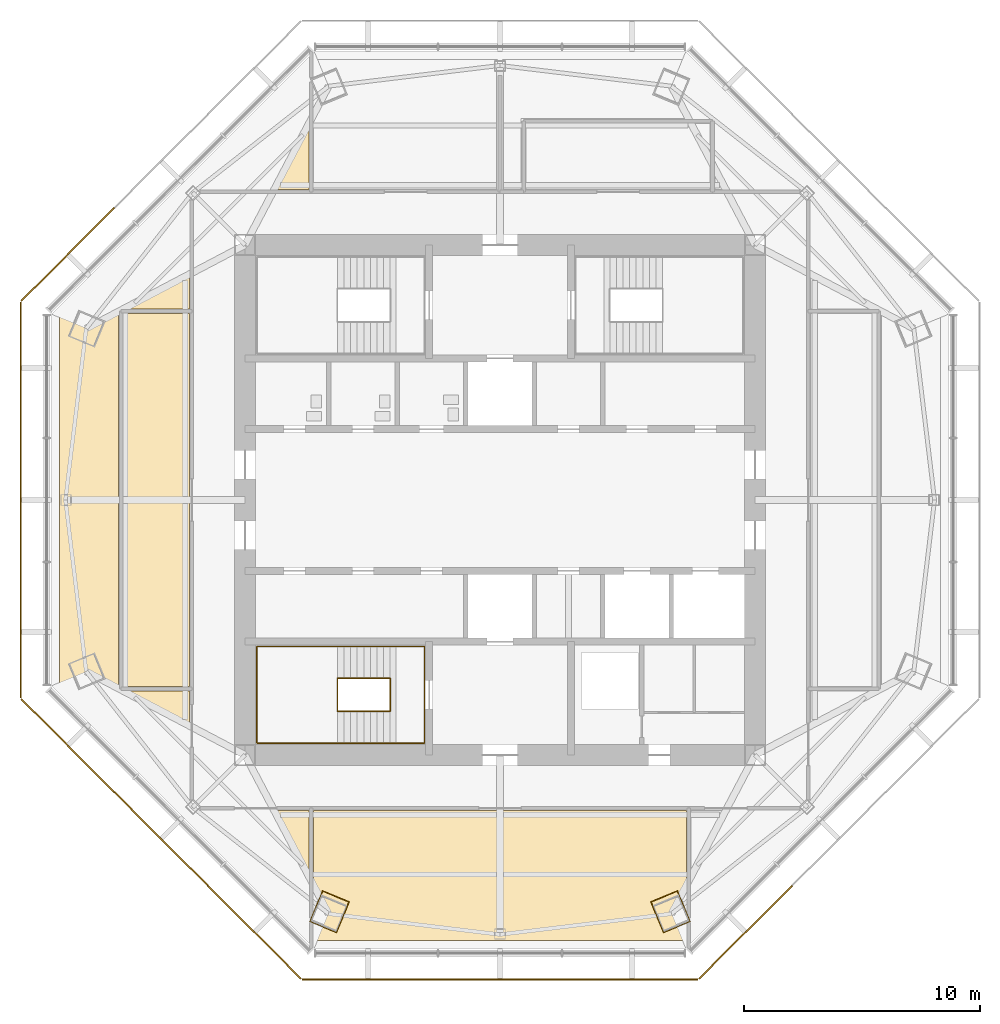
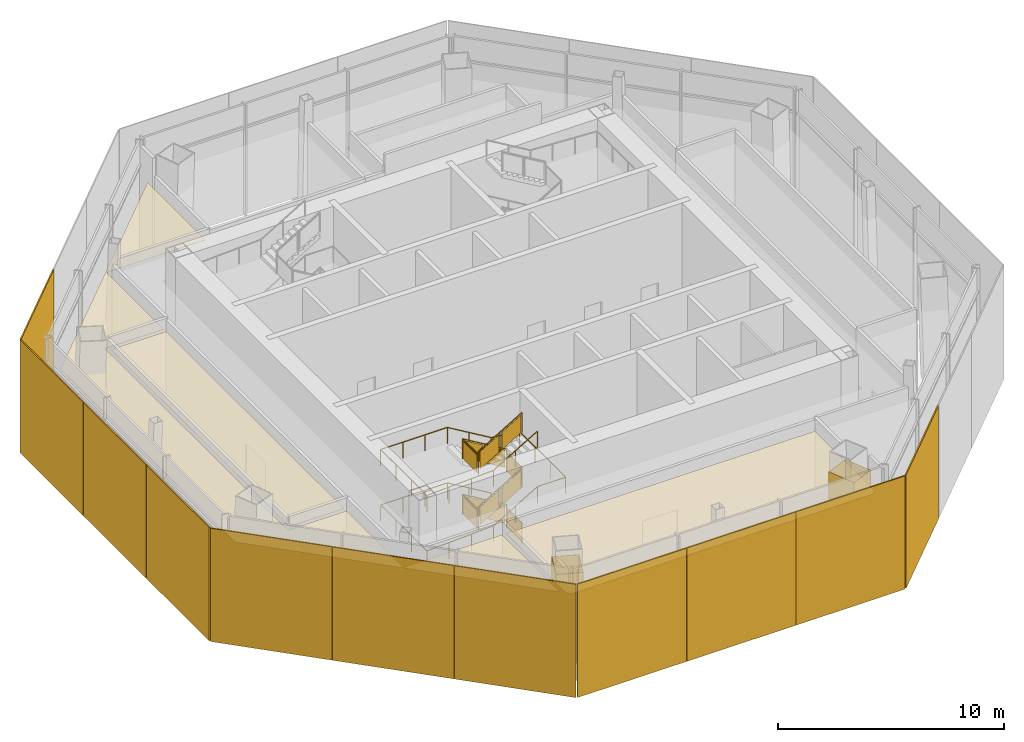
# One storey, part 8 of 11: 11 shading devices, 5 coverings, 2 railings.
"""IFC4 building model written with IfcOpenShell, lengths in metres."""

from ifc_helpers import new_model, si_unit, direction, frame, origin, origin_2d, place, context, subcontext, project, spatial, polyline, rectangle, circle, outline, extrude, source, transform, mapped, material, layer, layer_set, type_object, type_shapes, element, save


model = new_model("IFC4")

# Units and contexts
model_context = context("Model", 3, precision=1e-05, world=origin(), true_north=direction((0.0, 1.0)))
body_context = subcontext(model_context, "Body", "Model", "MODEL_VIEW")
ifc_project = project(units=[si_unit("LENGTHUNIT", "METRE"), si_unit("AREAUNIT", "SQUARE_METRE"), si_unit("VOLUMEUNIT", "CUBIC_METRE"), si_unit("PLANEANGLEUNIT", "RADIAN"), si_unit("MASSUNIT", "GRAM", prefix="KILO")], contexts=[model_context])

# Site, building, storey
site_placement = place(None, origin())
site = spatial("IfcSite", under=ifc_project, at=site_placement, CompositionType="ELEMENT")
building_placement = place(site_placement, origin())
building = spatial("IfcBuilding", under=site, at=building_placement, Name="Mashrafa Tower", CompositionType="ELEMENT")
storey_placement = place(building_placement, frame((0.0, 0.0, 311.60009765625)))
storey = spatial("IfcBuildingStorey", under=building, at=storey_placement, Name="L77", CompositionType="ELEMENT", Elevation=311.60009765625)

# Coverings
ifc_material_1 = material(Name="Gypsum board")
ifc_layer_1 = layer(ifc_material_1, 0.014892578125)
ifc_layer_set_1 = layer_set([ifc_layer_1], Name="Column casing plasterboard 15")
covering_type_1 = type_object("IfcCoveringType", Name="Column casing plasterboard 15", PredefinedType="CLADDING", material=ifc_layer_set_1)
covering_1_placement = place(storey_placement, origin())
element("IfcCovering", 1, at=covering_1_placement, inside=storey, type_object=covering_type_1, Name="Column casing L77-001", PredefinedType="CLADDING", context=body_context, shape_type="SweptSolid", body=[
    extrude(outline(polyline([(-8.061279296875, -17.85498046875), (-7.9853515625, -17.67138671875), (-7.59619140625, -16.73193359375), (-7.520263671875, -16.54833984375), (-6.3837890625, -17.01904296875), (-6.84912109375, -18.14208984375), (-6.925048828125, -18.32568359375), (-8.061279296875, -17.85498046875)]), holes=[polyline([(-6.86279296875, -18.13623046875), (-6.4033203125, -17.027099609375), (-7.51220703125, -16.56787109375), (-7.58251953125, -16.737548828125), (-7.971435546875, -17.677001953125), (-8.041748046875, -17.8466796875), (-6.93310546875, -18.305908203125), (-6.86279296875, -18.13623046875)])]), origin(), (0.0, 0.0, 1.0), 4.89404296875),
])
covering_2_placement = place(storey_placement, origin())
element("IfcCovering", 2, at=covering_2_placement, inside=storey, type_object=covering_type_1, Name="Column casing L77-002", PredefinedType="CLADDING", context=body_context, shape_type="SweptSolid", body=[
    extrude(outline(polyline([(6.84912109375, -18.14208984375), (6.3837890625, -17.01904296875), (7.520263671875, -16.54833984375), (7.59619140625, -16.73193359375), (7.9853515625, -17.67138671875), (8.061279296875, -17.85498046875), (6.925048828125, -18.32568359375), (6.84912109375, -18.14208984375)]), holes=[polyline([(8.041748046875, -17.8466796875), (7.971435546875, -17.677001953125), (7.58251953125, -16.737548828125), (7.51220703125, -16.56787109375), (6.4033203125, -17.027099609375), (6.86279296875, -18.13623046875), (6.93310546875, -18.305908203125), (8.041748046875, -17.8466796875)])]), origin(), (0.0, 0.0, 1.0), 4.89404296875),
])

# Railings
ifc_material_2 = material(Name="Steel guard with glass infill", Category="steel")
railing_type_1 = type_object("IfcRailingType", Name="Stair guard 1100", PredefinedType="GUARDRAIL", material=ifc_material_2)
railing_1_placement = place(storey_placement, frame((-4.64990234375, -8.949951171875, 0.0)))
element("IfcRailing", 3, at=railing_1_placement, inside=storey, type_object=railing_type_1, Name="Stair S3 guard L77", PredefinedType="GUARDRAIL", context=body_context, shape_type="SweptSolid", body=[
    extrude(circle(Radius=0.02392578125, at=origin_2d()), frame((0.0, 0.0, 1.076171875), z_axis=(0.0, 1.0, 0.0), x_axis=(-1.0, 0.0, 0.0)), (0.0, 0.0, 1.0), 1.39990234375),
    extrude(circle(Radius=0.02392578125, at=origin_2d()), frame((0.0, 1.39990234375, 1.076171875), z_axis=(0.0, 0.0, 1.0), x_axis=(1.0, 0.0, 0.0)), (0.0, 0.0, 1.0), 0.16650390625),
    extrude(circle(Radius=0.02392578125, at=origin_2d()), frame((0.0, 1.39990234375, 1.24267578125), z_axis=(-0.859264461869, 0.0, 0.511531606619), x_axis=(0.0, -1.0, 0.0)), (0.0, 0.0, 1.0), 2.60693359375),
    extrude(circle(Radius=0.02392578125, at=origin_2d()), frame((-2.239990234375, 1.39990234375, 2.576171875), z_axis=(0.0, -1.0, 0.0), x_axis=(1.0, 0.0, 0.0)), (0.0, 0.0, 1.0), 1.39990234375),
    extrude(circle(Radius=0.02392578125, at=origin_2d()), frame((-2.239990234375, 0.0, 2.576171875), z_axis=(0.0, 0.0, 1.0), x_axis=(1.0, 0.0, 0.0)), (0.0, 0.0, 1.0), 0.16650390625),
    extrude(circle(Radius=0.02392578125, at=origin_2d()), frame((-2.239990234375, 0.0, 2.74267578125), z_axis=(0.859264461869, 0.0, 0.511531606619), x_axis=(0.0, 1.0, 0.0)), (0.0, 0.0, 1.0), 2.60693359375),
    extrude(circle(Radius=0.02392578125, at=origin_2d()), frame((0.0, 0.0, 4.076171875), z_axis=(0.0, 1.0, 0.0), x_axis=(-1.0, 0.0, 0.0)), (0.0, 0.0, 1.0), 1.39990234375),
    extrude(circle(Radius=0.02392578125, at=origin_2d()), frame((0.0, 1.39990234375, 4.076171875), z_axis=(0.0, 0.0, 1.0), x_axis=(1.0, 0.0, 0.0)), (0.0, 0.0, 1.0), 0.16650390625),
    extrude(circle(Radius=0.02392578125, at=origin_2d()), frame((0.0, 1.39990234375, 4.24267578125), z_axis=(-0.859264461869, 0.0, 0.511531606619), x_axis=(0.0, -1.0, 0.0)), (0.0, 0.0, 1.0), 2.60693359375),
    extrude(circle(Radius=0.02392578125, at=origin_2d()), frame((-2.239990234375, 1.39990234375, 5.576171875), z_axis=(0.0, -1.0, 0.0), x_axis=(1.0, 0.0, 0.0)), (0.0, 0.0, 1.0), 1.39990234375),
    extrude(circle(Radius=0.02392578125, at=origin_2d()), frame((-2.239990234375, 0.0, 5.576171875), z_axis=(0.0, 0.0, 1.0), x_axis=(1.0, 0.0, 0.0)), (0.0, 0.0, 1.0), 0.16650390625),
    extrude(circle(Radius=0.02392578125, at=origin_2d()), frame((-2.239990234375, 0.0, 5.74267578125), z_axis=(0.859264461869, 0.0, 0.511531606619), x_axis=(0.0, 1.0, 0.0)), (0.0, 0.0, 1.0), 2.60693359375),
    extrude(circle(Radius=0.02099609375, at=origin_2d()), origin(), (0.0, 0.0, 1.0), 1.052001953125),
    extrude(circle(Radius=0.02099609375, at=origin_2d()), frame((0.0, 1.39990234375, 0.0)), (0.0, 0.0, 1.0), 1.052001953125),
    extrude(circle(Radius=0.02099609375, at=origin_2d()), frame((0.0, 1.39990234375, 0.16650390625)), (0.0, 0.0, 1.0), 1.052001953125),
    extrude(circle(Radius=0.02099609375, at=origin_2d()), frame((-1.1201171875, 1.39990234375, 0.833251953125)), (0.0, 0.0, 1.0), 1.052001953125),
    extrude(circle(Radius=0.02099609375, at=origin_2d()), frame((-2.239990234375, 1.39990234375, 1.5)), (0.0, 0.0, 1.0), 1.052001953125),
    extrude(circle(Radius=0.02099609375, at=origin_2d()), frame((-2.239990234375, 0.0, 1.5)), (0.0, 0.0, 1.0), 1.052001953125),
    extrude(circle(Radius=0.02099609375, at=origin_2d()), frame((-2.239990234375, 0.0, 1.66650390625)), (0.0, 0.0, 1.0), 1.052001953125),
    extrude(circle(Radius=0.02099609375, at=origin_2d()), frame((-1.1201171875, 0.0, 2.333251953125)), (0.0, 0.0, 1.0), 1.052001953125),
    extrude(circle(Radius=0.02099609375, at=origin_2d()), frame((0.0, 0.0, 3.0)), (0.0, 0.0, 1.0), 1.052001953125),
    extrude(circle(Radius=0.02099609375, at=origin_2d()), frame((0.0, 1.39990234375, 3.0)), (0.0, 0.0, 1.0), 1.052001953125),
    extrude(circle(Radius=0.02099609375, at=origin_2d()), frame((0.0, 1.39990234375, 3.16650390625)), (0.0, 0.0, 1.0), 1.052001953125),
    extrude(circle(Radius=0.02099609375, at=origin_2d()), frame((-1.1201171875, 1.39990234375, 3.833251953125)), (0.0, 0.0, 1.0), 1.052001953125),
    extrude(circle(Radius=0.02099609375, at=origin_2d()), frame((-2.239990234375, 1.39990234375, 4.5)), (0.0, 0.0, 1.0), 1.052001953125),
    extrude(circle(Radius=0.02099609375, at=origin_2d()), frame((-2.239990234375, 0.0, 4.5)), (0.0, 0.0, 1.0), 1.052001953125),
    extrude(circle(Radius=0.02099609375, at=origin_2d()), frame((-2.239990234375, 0.0, 4.66650390625)), (0.0, 0.0, 1.0), 1.052001953125),
    extrude(circle(Radius=0.02099609375, at=origin_2d()), frame((-1.1201171875, 0.0, 5.333251953125)), (0.0, 0.0, 1.0), 1.052001953125),
    extrude(circle(Radius=0.02099609375, at=origin_2d()), frame((0.0, 0.0, 6.0)), (0.0, 0.0, 1.0), 1.052001953125),
    extrude(outline(polyline([(0.071044921875, 0.050048828125), (1.328857421875, 0.050048828125), (1.328857421875, 1.001953125), (0.071044921875, 1.001953125), (0.071044921875, 0.050048828125)])), frame((0.006103515625, 0.0, 0.0), z_axis=(1.0, 0.0, 0.0), x_axis=(0.0, 1.0, 0.0)), (0.0, 0.0, 1.0), 0.011962890625),
    extrude(outline(polyline([(0.071044921875, 0.09228515625), (1.049072265625, 0.674560546875), (1.049072265625, 1.62646484375), (0.071044921875, 1.044189453125), (0.071044921875, 0.09228515625)])), frame((0.0, 1.406005859375, 0.16650390625), z_axis=(0.0, 1.0, 0.0), x_axis=(-1.0, 0.0, 0.0)), (0.0, 0.0, 1.0), 0.011962890625),
    extrude(outline(polyline([(1.19091796875, 0.759033203125), (2.1689453125, 1.34130859375), (2.1689453125, 2.293212890625), (1.19091796875, 1.7109375), (1.19091796875, 0.759033203125)])), frame((0.0, 1.406005859375, 0.16650390625), z_axis=(0.0, 1.0, 0.0), x_axis=(-1.0, 0.0, 0.0)), (0.0, 0.0, 1.0), 0.011962890625),
    extrude(outline(polyline([(0.071044921875, 0.050048828125), (1.328857421875, 0.050048828125), (1.328857421875, 1.001953125), (0.071044921875, 1.001953125), (0.071044921875, 0.050048828125)])), frame((-2.24609375, 1.39990234375, 1.5), z_axis=(-1.0, 0.0, 0.0), x_axis=(0.0, -1.0, 0.0)), (0.0, 0.0, 1.0), 0.011962890625),
    extrude(outline(polyline([(0.071044921875, 0.09228515625), (1.049072265625, 0.674560546875), (1.049072265625, 1.62646484375), (0.071044921875, 1.044189453125), (0.071044921875, 0.09228515625)])), frame((-2.239990234375, -0.006103515625, 1.66650390625), z_axis=(0.0, -1.0, 0.0), x_axis=(1.0, 0.0, 0.0)), (0.0, 0.0, 1.0), 0.011962890625),
    extrude(outline(polyline([(1.19091796875, 0.759033203125), (2.1689453125, 1.34130859375), (2.1689453125, 2.293212890625), (1.19091796875, 1.7109375), (1.19091796875, 0.759033203125)])), frame((-2.239990234375, -0.006103515625, 1.66650390625), z_axis=(0.0, -1.0, 0.0), x_axis=(1.0, 0.0, 0.0)), (0.0, 0.0, 1.0), 0.011962890625),
    extrude(outline(polyline([(0.071044921875, 0.050048828125), (1.328857421875, 0.050048828125), (1.328857421875, 1.001953125), (0.071044921875, 1.001953125), (0.071044921875, 0.050048828125)])), frame((0.006103515625, 0.0, 3.0), z_axis=(1.0, 0.0, 0.0), x_axis=(0.0, 1.0, 0.0)), (0.0, 0.0, 1.0), 0.011962890625),
    extrude(outline(polyline([(0.071044921875, 0.09228515625), (1.049072265625, 0.674560546875), (1.049072265625, 1.62646484375), (0.071044921875, 1.044189453125), (0.071044921875, 0.09228515625)])), frame((0.0, 1.406005859375, 3.16650390625), z_axis=(0.0, 1.0, 0.0), x_axis=(-1.0, 0.0, 0.0)), (0.0, 0.0, 1.0), 0.011962890625),
    extrude(outline(polyline([(1.19091796875, 0.759033203125), (2.1689453125, 1.34130859375), (2.1689453125, 2.293212890625), (1.19091796875, 1.7109375), (1.19091796875, 0.759033203125)])), frame((0.0, 1.406005859375, 3.16650390625), z_axis=(0.0, 1.0, 0.0), x_axis=(-1.0, 0.0, 0.0)), (0.0, 0.0, 1.0), 0.011962890625),
    extrude(outline(polyline([(0.071044921875, 0.050048828125), (1.328857421875, 0.050048828125), (1.328857421875, 1.001953125), (0.071044921875, 1.001953125), (0.071044921875, 0.050048828125)])), frame((-2.24609375, 1.39990234375, 4.5), z_axis=(-1.0, 0.0, 0.0), x_axis=(0.0, -1.0, 0.0)), (0.0, 0.0, 1.0), 0.011962890625),
    extrude(outline(polyline([(0.071044921875, 0.09228515625), (1.049072265625, 0.674560546875), (1.049072265625, 1.62646484375), (0.071044921875, 1.044189453125), (0.071044921875, 0.09228515625)])), frame((-2.239990234375, -0.006103515625, 4.66650390625), z_axis=(0.0, -1.0, 0.0), x_axis=(1.0, 0.0, 0.0)), (0.0, 0.0, 1.0), 0.011962890625),
    extrude(outline(polyline([(1.19091796875, 0.759033203125), (2.1689453125, 1.34130859375), (2.1689453125, 2.293212890625), (1.19091796875, 1.7109375), (1.19091796875, 0.759033203125)])), frame((-2.239990234375, -0.006103515625, 4.66650390625), z_axis=(0.0, -1.0, 0.0), x_axis=(1.0, 0.0, 0.0)), (0.0, 0.0, 1.0), 0.011962890625),
])
ifc_material_3 = material(Name="Steel", Category="steel")
railing_type_2 = type_object("IfcRailingType", Name="Stair handrail 900", PredefinedType="HANDRAIL", material=ifc_material_3)
railing_2_placement = place(storey_placement, frame((-4.64990234375, -6.199951171875, 0.16650390625)))
element("IfcRailing", 4, at=railing_2_placement, inside=storey, type_object=railing_type_2, Name="Stair S3 handrail L77", PredefinedType="HANDRAIL", context=body_context, shape_type="SweptSolid", body=[
    extrude(circle(Radius=0.02392578125, at=origin_2d()), frame((0.0, 0.0, 0.8759765625), z_axis=(-0.859264461869, 0.0, 0.511531606619), x_axis=(0.0, -1.0, 0.0)), (0.0, 0.0, 1.0), 2.60693359375),
    extrude(circle(Radius=0.02392578125, at=origin_2d()), frame((-2.239990234375, 0.0, 2.20947265625), z_axis=(-1.0, 0.0, 0.0), x_axis=(0.0, -1.0, 0.0)), (0.0, 0.0, 1.0), 3.41015625),
    extrude(circle(Radius=0.02392578125, at=origin_2d()), frame((-5.650146484375, 0.0, 2.20947265625), z_axis=(0.0, -1.0, 0.0), x_axis=(1.0, 0.0, 0.0)), (0.0, 0.0, 1.0), 4.10009765625),
    extrude(circle(Radius=0.02392578125, at=origin_2d()), frame((-5.650146484375, -4.10009765625, 2.20947265625), z_axis=(0.998810143355, 0.0, 0.048767791936), x_axis=(0.0, 1.0, 0.0)), (0.0, 0.0, 1.0), 3.414306640625),
    extrude(circle(Radius=0.02392578125, at=origin_2d()), frame((-2.239990234375, -4.10009765625, 2.3759765625), z_axis=(0.859264461869, 0.0, 0.511531606619), x_axis=(0.0, 1.0, 0.0)), (0.0, 0.0, 1.0), 2.60693359375),
    extrude(circle(Radius=0.02392578125, at=origin_2d()), frame((0.0, -4.10009765625, 3.70947265625), z_axis=(1.0, 0.0, 0.0), x_axis=(0.0, 1.0, 0.0)), (0.0, 0.0, 1.0), 1.449951171875),
    extrude(circle(Radius=0.02392578125, at=origin_2d()), frame((1.449951171875, -4.10009765625, 3.70947265625), z_axis=(0.0, 1.0, 0.0), x_axis=(-1.0, 0.0, 0.0)), (0.0, 0.0, 1.0), 4.10009765625),
    extrude(circle(Radius=0.02392578125, at=origin_2d()), frame((1.449951171875, 0.0, 3.70947265625), z_axis=(-0.993471061085, 0.0, 0.114084402031), x_axis=(0.0, -1.0, 0.0)), (0.0, 0.0, 1.0), 1.45947265625),
    extrude(circle(Radius=0.02392578125, at=origin_2d()), frame((0.0, 0.0, 3.8759765625), z_axis=(-0.859264461869, 0.0, 0.511531606619), x_axis=(0.0, -1.0, 0.0)), (0.0, 0.0, 1.0), 2.60693359375),
    extrude(circle(Radius=0.02392578125, at=origin_2d()), frame((-2.239990234375, 0.0, 5.20947265625), z_axis=(-1.0, 0.0, 0.0), x_axis=(0.0, -1.0, 0.0)), (0.0, 0.0, 1.0), 3.41015625),
    extrude(circle(Radius=0.02392578125, at=origin_2d()), frame((-5.650146484375, 0.0, 5.20947265625), z_axis=(0.0, -1.0, 0.0), x_axis=(1.0, 0.0, 0.0)), (0.0, 0.0, 1.0), 4.10009765625),
    extrude(circle(Radius=0.02392578125, at=origin_2d()), frame((-5.650146484375, -4.10009765625, 5.20947265625), z_axis=(0.998810143355, 0.0, 0.048767791936), x_axis=(0.0, 1.0, 0.0)), (0.0, 0.0, 1.0), 3.414306640625),
    extrude(circle(Radius=0.02392578125, at=origin_2d()), frame((-2.239990234375, -4.10009765625, 5.3759765625), z_axis=(0.859264461869, 0.0, 0.511531606619), x_axis=(0.0, 1.0, 0.0)), (0.0, 0.0, 1.0), 2.60693359375),
    extrude(circle(Radius=0.02099609375, at=origin_2d()), origin(), (0.0, 0.0, 1.0), 0.851806640625),
    extrude(circle(Radius=0.02099609375, at=origin_2d()), frame((-1.1201171875, 0.0, 0.666748046875)), (0.0, 0.0, 1.0), 0.851806640625),
    extrude(circle(Radius=0.02099609375, at=origin_2d()), frame((-2.239990234375, 0.0, 1.33349609375)), (0.0, 0.0, 1.0), 0.851806640625),
    extrude(circle(Radius=0.02099609375, at=origin_2d()), frame((-3.376708984375, 0.0, 1.33349609375)), (0.0, 0.0, 1.0), 0.851806640625),
    extrude(circle(Radius=0.02099609375, at=origin_2d()), frame((-4.513427734375, 0.0, 1.33349609375)), (0.0, 0.0, 1.0), 0.851806640625),
    extrude(circle(Radius=0.02099609375, at=origin_2d()), frame((-5.650146484375, 0.0, 1.33349609375)), (0.0, 0.0, 1.0), 0.851806640625),
    extrude(circle(Radius=0.02099609375, at=origin_2d()), frame((-5.650146484375, -1.36669921875, 1.33349609375)), (0.0, 0.0, 1.0), 0.851806640625),
    extrude(circle(Radius=0.02099609375, at=origin_2d()), frame((-5.650146484375, -2.7333984375, 1.33349609375)), (0.0, 0.0, 1.0), 0.851806640625),
    extrude(circle(Radius=0.02099609375, at=origin_2d()), frame((-5.650146484375, -4.10009765625, 1.33349609375)), (0.0, 0.0, 1.0), 0.851806640625),
    extrude(circle(Radius=0.02099609375, at=origin_2d()), frame((-4.513427734375, -4.10009765625, 1.388916015625)), (0.0, 0.0, 1.0), 0.851806640625),
    extrude(circle(Radius=0.02099609375, at=origin_2d()), frame((-3.376708984375, -4.10009765625, 1.444580078125)), (0.0, 0.0, 1.0), 0.851806640625),
    extrude(circle(Radius=0.02099609375, at=origin_2d()), frame((-2.239990234375, -4.10009765625, 1.5)), (0.0, 0.0, 1.0), 0.851806640625),
    extrude(circle(Radius=0.02099609375, at=origin_2d()), frame((-1.1201171875, -4.10009765625, 2.166748046875)), (0.0, 0.0, 1.0), 0.851806640625),
    extrude(circle(Radius=0.02099609375, at=origin_2d()), frame((0.0, -4.10009765625, 2.83349609375)), (0.0, 0.0, 1.0), 0.851806640625),
    extrude(circle(Radius=0.02099609375, at=origin_2d()), frame((1.449951171875, -4.10009765625, 2.83349609375)), (0.0, 0.0, 1.0), 0.851806640625),
    extrude(circle(Radius=0.02099609375, at=origin_2d()), frame((1.449951171875, -2.7333984375, 2.83349609375)), (0.0, 0.0, 1.0), 0.851806640625),
    extrude(circle(Radius=0.02099609375, at=origin_2d()), frame((1.449951171875, -1.36669921875, 2.83349609375)), (0.0, 0.0, 1.0), 0.851806640625),
    extrude(circle(Radius=0.02099609375, at=origin_2d()), frame((1.449951171875, 0.0, 2.83349609375)), (0.0, 0.0, 1.0), 0.851806640625),
    extrude(circle(Radius=0.02099609375, at=origin_2d()), frame((0.0, 0.0, 3.0)), (0.0, 0.0, 1.0), 0.851806640625),
    extrude(circle(Radius=0.02099609375, at=origin_2d()), frame((-1.1201171875, 0.0, 3.666748046875)), (0.0, 0.0, 1.0), 0.851806640625),
    extrude(circle(Radius=0.02099609375, at=origin_2d()), frame((-2.239990234375, 0.0, 4.33349609375)), (0.0, 0.0, 1.0), 0.851806640625),
    extrude(circle(Radius=0.02099609375, at=origin_2d()), frame((-3.376708984375, 0.0, 4.33349609375)), (0.0, 0.0, 1.0), 0.851806640625),
    extrude(circle(Radius=0.02099609375, at=origin_2d()), frame((-4.513427734375, 0.0, 4.33349609375)), (0.0, 0.0, 1.0), 0.851806640625),
    extrude(circle(Radius=0.02099609375, at=origin_2d()), frame((-5.650146484375, 0.0, 4.33349609375)), (0.0, 0.0, 1.0), 0.851806640625),
    extrude(circle(Radius=0.02099609375, at=origin_2d()), frame((-5.650146484375, -1.36669921875, 4.33349609375)), (0.0, 0.0, 1.0), 0.851806640625),
    extrude(circle(Radius=0.02099609375, at=origin_2d()), frame((-5.650146484375, -2.7333984375, 4.33349609375)), (0.0, 0.0, 1.0), 0.851806640625),
    extrude(circle(Radius=0.02099609375, at=origin_2d()), frame((-5.650146484375, -4.10009765625, 4.33349609375)), (0.0, 0.0, 1.0), 0.851806640625),
    extrude(circle(Radius=0.02099609375, at=origin_2d()), frame((-4.513427734375, -4.10009765625, 4.388916015625)), (0.0, 0.0, 1.0), 0.851806640625),
    extrude(circle(Radius=0.02099609375, at=origin_2d()), frame((-3.376708984375, -4.10009765625, 4.444580078125)), (0.0, 0.0, 1.0), 0.851806640625),
    extrude(circle(Radius=0.02099609375, at=origin_2d()), frame((-2.239990234375, -4.10009765625, 4.5)), (0.0, 0.0, 1.0), 0.851806640625),
    extrude(circle(Radius=0.02099609375, at=origin_2d()), frame((-1.1201171875, -4.10009765625, 5.166748046875)), (0.0, 0.0, 1.0), 0.851806640625),
    extrude(circle(Radius=0.02099609375, at=origin_2d()), frame((0.0, -4.10009765625, 5.83349609375)), (0.0, 0.0, 1.0), 0.851806640625),
])

# Coverings
ifc_material_4 = material(Name="Gypsum board on suspension grid")
ifc_layer_2 = layer(ifc_material_4, 0.012451171875)
ifc_layer_set_2 = layer_set([ifc_layer_2], Name="Suspended ceiling gypsum 12.5")
covering_type_2 = type_object("IfcCoveringType", Name="Suspended ceiling gypsum 12.5", PredefinedType="CEILING", material=ifc_layer_set_2)
covering_3_placement = place(storey_placement, frame((0.0, 0.0, 4.199951171875)))
element("IfcCovering", 5, at=covering_3_placement, inside=storey, type_object=covering_type_2, Name="Ceiling Observation Cafe L77", PredefinedType="CEILING", context=body_context, shape_type="SweptSolid", body=[
    extrude(outline(polyline([(-7.89990234375, -13.14990234375), (7.89990234375, -13.14990234375), (7.89990234375, -18.47509765625), (7.72509765625, -18.64990234375), (-7.72509765625, -18.64990234375), (-7.89990234375, -18.47509765625), (-7.89990234375, -13.14990234375)])), origin(), (0.0, 0.0, 1.0), 0.012451171875),
])
covering_4_placement = place(storey_placement, frame((0.0, 0.0, 4.199951171875)))
element("IfcCovering", 6, at=covering_4_placement, inside=storey, type_object=covering_type_2, Name="Ceiling VIP Lounge L77", PredefinedType="CEILING", context=body_context, shape_type="SweptSolid", body=[
    extrude(outline(polyline([(-15.949951171875, 7.89990234375), (-13.14990234375, 7.89990234375), (-13.14990234375, -7.89990234375), (-15.949951171875, -7.89990234375), (-15.949951171875, 7.89990234375)])), origin(), (0.0, 0.0, 1.0), 0.012451171875),
])
covering_5_placement = place(storey_placement, frame((0.0, 0.0, 4.199951171875)))
element("IfcCovering", 7, at=covering_5_placement, inside=storey, type_object=covering_type_2, Name="Ceiling Observation Deck West L77", PredefinedType="CEILING", context=body_context, shape_type="SweptSolid", body=[
    extrude(outline(polyline([(-8.10009765625, -18.275146484375), (-18.64990234375, -7.72509765625), (-18.64990234375, 7.72509765625), (-8.10009765625, 18.275146484375), (-8.10009765625, 13.14990234375), (-13.14990234375, 13.14990234375), (-13.14990234375, 8.10009765625), (-16.14990234375, 8.10009765625), (-16.14990234375, -8.10009765625), (-13.14990234375, -8.10009765625), (-13.14990234375, -13.14990234375), (-8.10009765625, -13.14990234375), (-8.10009765625, -18.275146484375)])), origin(), (0.0, 0.0, 1.0), 0.012451171875),
])

# Shading devices
ifc_material_5 = material(Name="Perforated aluminium plate, eight-point star pattern", Category="aluminium")
ifc_layer_3 = layer(ifc_material_5, 0.06005859375)
ifc_layer_set_3 = layer_set([ifc_layer_3], Name="Mashrabiya screen panel observation floor, 55 percent open")
shading_device_type = type_object("IfcShadingDeviceType", Name="Mashrabiya screen panel observation floor, 55 percent open", PredefinedType="SHUTTER", material=ifc_layer_set_3)
shared_shape = source(origin(), body_context, "Body", "SweptSolid", [
    extrude(rectangle(XDim=5.57080078125, YDim=0.06005859375, at=origin_2d()), origin(), (0.0, 0.0, 1.0), 6.1298828125),
])
type_shapes(shading_device_type, [shared_shape])
for number, where, z_axis, x_axis, name in (
    (8, (-18.3076171875, 10.401123046875, -0.150146484375), (0.0, 0.0, 1.0), (-0.707106781187, -0.707106781187, 0.0), "Mashrabiya screen L77 north-west 3"),
    (9, (-20.300048828125, 5.5908203125, -0.150146484375), (0.0, 0.0, 1.0), (0.0, -1.0, 0.0), "Mashrabiya screen L77 west 1"),
    (10, (-20.300048828125, 0.0, -0.150146484375), (0.0, 0.0, 1.0), (0.0, -1.0, 0.0), "Mashrabiya screen L77 west 2"),
    (11, (-20.300048828125, -5.5908203125, -0.150146484375), (0.0, 0.0, 1.0), (0.0, -1.0, 0.0), "Mashrabiya screen L77 west 3"),
    (12, (-18.3076171875, -10.401123046875, -0.150146484375), (0.0, 0.0, 1.0), (0.707106781187, -0.707106781187, 0.0), "Mashrabiya screen L77 south-west 1"),
    (13, (-14.354248046875, -14.354248046875, -0.150146484375), (0.0, 0.0, 1.0), (0.707106781187, -0.707106781187, 0.0), "Mashrabiya screen L77 south-west 2"),
    (14, (-10.401123046875, -18.3076171875, -0.150146484375), (0.0, 0.0, 1.0), (0.707106781187, -0.707106781187, 0.0), "Mashrabiya screen L77 south-west 3"),
    (15, (-5.5908203125, -20.300048828125, -0.150146484375), (0.0, 0.0, 1.0), (1.0, 0.0, 0.0), "Mashrabiya screen L77 south 1"),
    (16, (0.0, -20.300048828125, -0.150146484375), (0.0, 0.0, 1.0), (1.0, 0.0, 0.0), "Mashrabiya screen L77 south 2"),
    (17, (5.5908203125, -20.300048828125, -0.150146484375), (0.0, 0.0, 1.0), (1.0, 0.0, 0.0), "Mashrabiya screen L77 south 3"),
    (18, (10.401123046875, -18.3076171875, -0.150146484375), (0.0, 0.0, 1.0), (0.707106781187, 0.707106781187, 0.0), "Mashrabiya screen L77 south-east 1"),
):
    element("IfcShadingDevice", number, at=place(storey_placement, frame(where, z_axis=z_axis, x_axis=x_axis)), inside=storey, type_object=shading_device_type, Name=name, PredefinedType="SHUTTER", context=body_context, shape_type="MappedRepresentation", body=[
        mapped(shared_shape, transform((0.0, 0.0, 0.0))),
    ])

save(model, "model.ifc")
